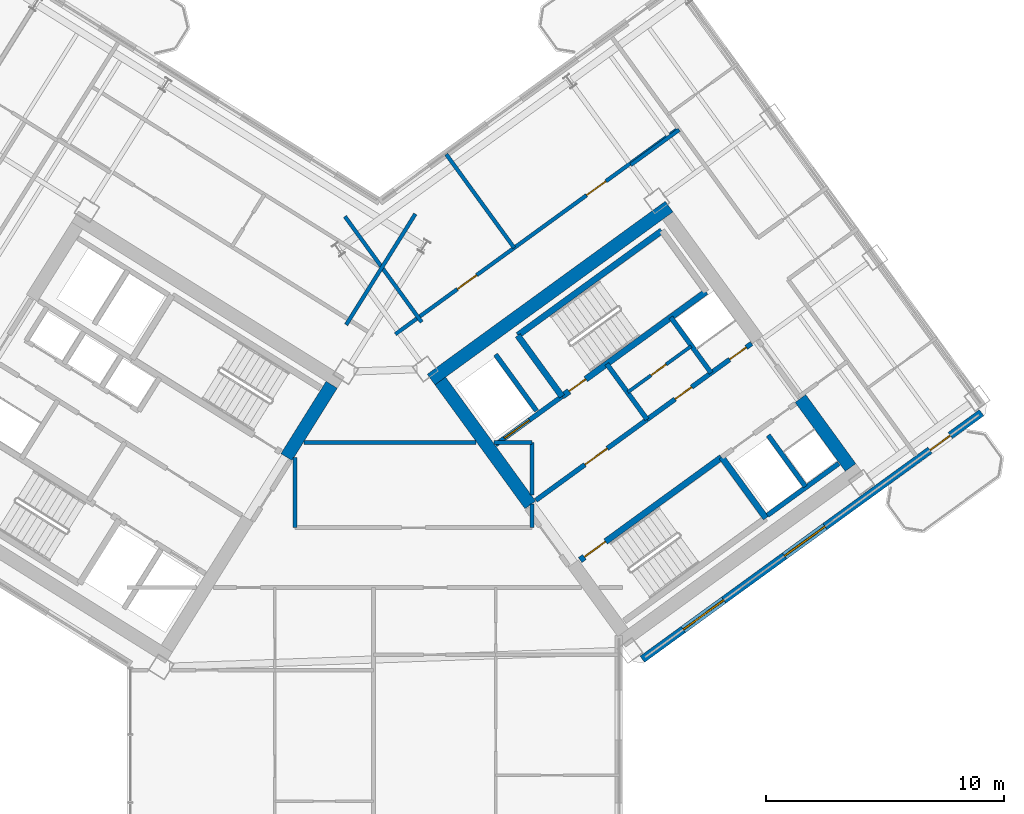
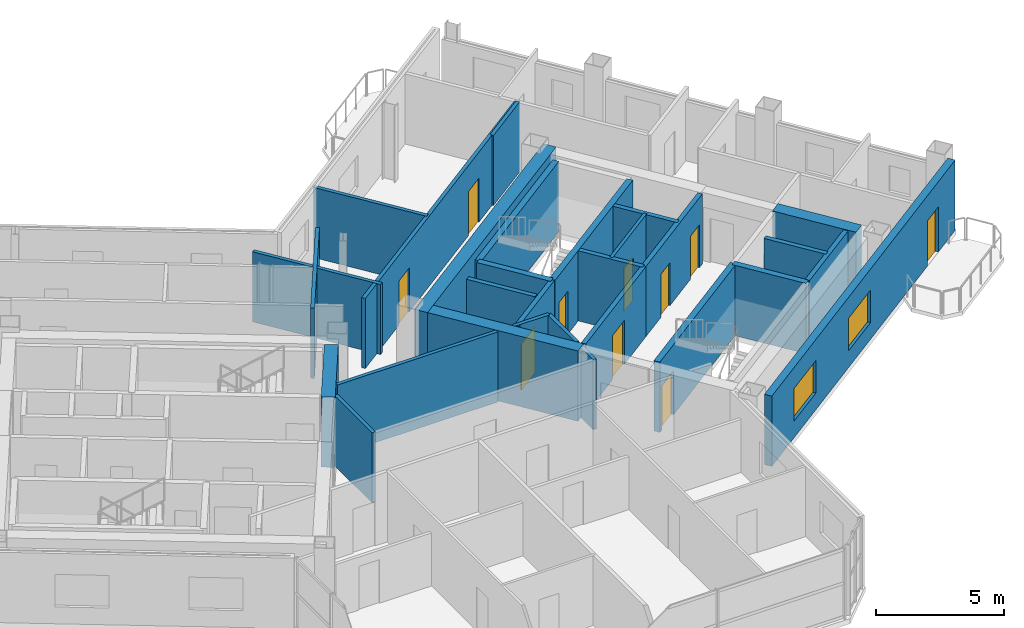
# One storey, part 14 of 21: 29 walls, 10 doors, 2 windows, 12 openings.
"""IFC4 building model written with IfcOpenShell, lengths in metres."""

import ifcopenshell
import ifcopenshell.guid

model = None  # the IFC model being written
_history = None  # IfcOwnerHistory: only IFC2X3 demands one
_inside = {}  # id of a spatial element -> (the spatial element, [elements in it])
_under = {}  # id of a project, library or spatial element -> (it, [spatial elements below it])
_declared = {}  # id of a project -> (the project, [libraries it declares])
_typed = {}  # id of a type object -> (the type object, [elements of that type])
_made_of = {}  # id of a material, layer set ... -> (it, [elements and type objects made of it])


def new_model(schema):
    """Start an empty IFC model of exactly this schema.

    Asked for "IFC4X3", IfcOpenShell would pick the latest addendum, in which some entities
    have other attributes; the version numbers below select the first issue.
    IFC2X3 requires an IfcOwnerHistory on every rooted entity: one is made here for all.
    """
    global model, _history
    if schema == "IFC4X3":
        model = ifcopenshell.file(schema_version=(4, 3, 0, 0))
    else:
        model = ifcopenshell.file(schema=schema)
    _inside.clear()
    _under.clear()
    _declared.clear()
    _typed.clear()
    _made_of.clear()
    _history = None
    if model.schema == "IFC2X3":
        org = make("IfcOrganization", Name="unknown")
        user = make(
            "IfcPersonAndOrganization",
            ThePerson=make("IfcPerson", FamilyName="unknown"),
            TheOrganization=org,
        )
        app = make(
            "IfcApplication",
            ApplicationDeveloper=org,
            Version="unknown",
            ApplicationFullName="unknown",
            ApplicationIdentifier="unknown",
        )
        _history = make(
            "IfcOwnerHistory",
            OwningUser=user,
            OwningApplication=app,
            ChangeAction="ADDED",
            CreationDate=0,
        )
    return model


def make(cls, **values):
    """One entity of the class cls with the attributes given. An attribute that is None is left unset."""
    return model.create_entity(
        cls, **{name: value for name, value in values.items() if value is not None}
    )


def rooted(cls, **values):
    """An entity with a GlobalId (a new one), such as an element, a storey or a relation."""
    return make(cls, GlobalId=ifcopenshell.guid.new(), OwnerHistory=_history, **values)


def si_unit(unit_type, name, prefix=None):
    """IfcSIUnit, for example si_unit("LENGTHUNIT", "METRE", prefix="MILLI")."""
    return make("IfcSIUnit", UnitType=unit_type, Prefix=prefix, Name=name)


def assignment(units):
    """IfcUnitAssignment: the units of a project."""
    return None if units is None else make("IfcUnitAssignment", Units=units)


def point(xyz):
    """IfcCartesianPoint."""
    return None if xyz is None else make("IfcCartesianPoint", Coordinates=xyz)


def direction(xyz):
    """IfcDirection."""
    return None if xyz is None else make("IfcDirection", DirectionRatios=xyz)


def frame(location, z_axis=None, x_axis=None):
    """IfcAxis2Placement3D, a coordinate frame: its origin and axes. An axis left out is left unset."""
    return make(
        "IfcAxis2Placement3D",
        Location=point(location),
        Axis=direction(z_axis),
        RefDirection=direction(x_axis),
    )


def frame_2d(location, x_axis=None):
    """IfcAxis2Placement2D, a coordinate frame in the plane: its origin and x axis."""
    return make(
        "IfcAxis2Placement2D", Location=point(location), RefDirection=direction(x_axis)
    )


def origin():
    """The frame at (0, 0, 0) with its axes left unset."""
    return frame((0.0, 0.0, 0.0))


def place(relative_to, where):
    """IfcLocalPlacement: puts the frame where relative to a parent placement (None: the world)."""
    return make(
        "IfcLocalPlacement", PlacementRelTo=relative_to, RelativePlacement=where
    )


def context(
    kind, dimensions, precision=None, world=None, true_north=None, identifier=None
):
    """IfcGeometricRepresentationContext, for example the 3D "Model" context."""
    return make(
        "IfcGeometricRepresentationContext",
        ContextIdentifier=identifier,
        ContextType=kind,
        CoordinateSpaceDimension=dimensions,
        Precision=precision,
        WorldCoordinateSystem=world,
        TrueNorth=true_north,
    )


def subcontext(parent, identifier, kind, view, scale=None):
    """IfcGeometricRepresentationSubContext, for example "Body" below "Model"."""
    return make(
        "IfcGeometricRepresentationSubContext",
        ContextIdentifier=identifier,
        ContextType=kind,
        ParentContext=parent,
        TargetScale=scale,
        TargetView=view,
    )


def project(units=None, contexts=None):
    """IfcProject with its units and contexts."""
    return rooted(
        "IfcProject",
        Name="project",
        RepresentationContexts=contexts,
        UnitsInContext=assignment(units),
    )


def spatial(cls, under=None, at=None, **own):
    """A site, building, storey or space (cls), placed at a placement, below another one or the project."""
    s = rooted(cls, ObjectPlacement=at, **own)
    if under is not None:
        _under.setdefault(under.id(), (under, []))[1].append(s)
    return s


def profile(cls, at=None, kind="AREA", **sizes):
    """A parametric profile (cls). Its sizes go by their IFC names, for example OverallWidth=200.0."""
    return make(cls, ProfileType=kind, Position=at, **sizes)


def rectangle(**sizes):
    """IfcRectangleProfileDef."""
    return profile("IfcRectangleProfileDef", **sizes)


def extrude(swept, where, along, depth):
    """IfcExtrudedAreaSolid: the profile swept, set in the frame where, extruded along a direction by depth."""
    return make(
        "IfcExtrudedAreaSolid",
        SweptArea=swept,
        Position=where,
        ExtrudedDirection=direction(along),
        Depth=depth,
    )


def shape(context_of_items, identifier, shape_type, items):
    """IfcShapeRepresentation: the items that make up one representation, for example the "Body"."""
    return make(
        "IfcShapeRepresentation",
        ContextOfItems=context_of_items,
        RepresentationIdentifier=identifier,
        RepresentationType=shape_type,
        Items=items,
    )


def source(mapping_origin, context_of_items, identifier, shape_type, items):
    """IfcRepresentationMap: a shape defined once, which mapped items show again and again."""
    return make(
        "IfcRepresentationMap",
        MappingOrigin=mapping_origin,
        MappedRepresentation=shape(context_of_items, identifier, shape_type, items),
    )


def transform(
    local_origin,
    x_axis=None,
    y_axis=None,
    z_axis=None,
    scale=None,
    scale2=None,
    scale3=None,
    uniform=True,
):
    """IfcCartesianTransformationOperator3D, or its non-uniform kind. x_axis, y_axis, z_axis: its Axis1, 2, 3."""
    if uniform:
        return make(
            "IfcCartesianTransformationOperator3D",
            Axis1=direction(x_axis),
            Axis2=direction(y_axis),
            LocalOrigin=point(local_origin),
            Scale=scale,
            Axis3=direction(z_axis),
        )
    return make(
        "IfcCartesianTransformationOperator3DnonUniform",
        Axis1=direction(x_axis),
        Axis2=direction(y_axis),
        LocalOrigin=point(local_origin),
        Scale=scale,
        Axis3=direction(z_axis),
        Scale2=scale2,
        Scale3=scale3,
    )


def mapped(mapping_source, mapping_target):
    """IfcMappedItem: shows the shape of a source again, moved by a transform."""
    return make(
        "IfcMappedItem", MappingSource=mapping_source, MappingTarget=mapping_target
    )


def material(Name=None, Category=None):
    """IfcMaterial."""
    return make("IfcMaterial", Name=Name, Category=Category)


def layer(
    of_material, thickness, ventilated=None, Name=None, Category=None, Priority=None
):
    """IfcMaterialLayer: one layer of a wall or slab, of a material (None: an air gap)."""
    return make(
        "IfcMaterialLayer",
        Material=of_material,
        LayerThickness=thickness,
        IsVentilated=ventilated,
        Name=Name,
        Category=Category,
        Priority=Priority,
    )


def layer_set(layers, Name=None):
    """IfcMaterialLayerSet."""
    return make("IfcMaterialLayerSet", MaterialLayers=layers, LayerSetName=Name)


def made_of(thing, what):
    """Note that an element or type object is made of a material, layer set ...; save() writes the relation."""
    if what is not None:
        _made_of.setdefault(what.id(), (what, []))[1].append(thing)
    return thing


def type_object(cls, material=None, **own):
    """A type object (cls), such as IfcWallType, which elements share."""
    return made_of(rooted(cls, **own), material)


def element(
    cls,
    number,
    at=None,
    inside=None,
    cuts=None,
    type_object=None,
    material=None,
    context=None,
    identifier="Body",
    shape_type=None,
    held_by="IfcProductDefinitionShape",
    body=None,
    shapes=None,
    **own,
):
    """One element of the class cls, such as IfcWall. Its Tag is "e" and its number.

    at: its placement. inside: the storey or other place that contains it. cuts: it is an
    opening in that element (IfcRelVoidsElement). A single representation is given by context,
    identifier, shape_type and body (its items); several are given by shapes. held_by: the class
    of the entity that holds the representations. save() writes the other relations.
    """
    e = rooted(cls, Tag="e%d" % number, ObjectPlacement=at, **own)
    if body is not None:
        shapes = [shape(context, identifier, shape_type, body)]
    if shapes is not None:
        e.Representation = make(held_by, Representations=shapes)
    if inside is not None:
        _inside.setdefault(inside.id(), (inside, []))[1].append(e)
    if cuts is not None:
        rooted(
            "IfcRelVoidsElement", RelatingBuildingElement=cuts, RelatedOpeningElement=e
        )
    if type_object is not None:
        _typed.setdefault(type_object.id(), (type_object, []))[1].append(e)
    return made_of(e, material)


def fill(opening, filler):
    """IfcRelFillsElement: the door or window that sits in an opening."""
    return rooted(
        "IfcRelFillsElement",
        RelatingOpeningElement=opening,
        RelatedBuildingElement=filler,
    )


def aggregate(whole, parts):
    """IfcRelAggregates: a whole, such as a stair, and the parts it consists of."""
    return rooted("IfcRelAggregates", RelatingObject=whole, RelatedObjects=parts)


def save(model, path):
    """Write the relations noted so far, then the file.

    IfcRelAggregates (storeys below a building ...), IfcRelContainedInSpatialStructure (elements
    in a storey), IfcRelDefinesByType, IfcRelAssociatesMaterial and IfcRelDeclares: one each for
    every whole, place, type object, material and project.
    """
    for whole, parts in _under.values():
        aggregate(whole, parts)
    for where, things in _inside.values():
        rooted(
            "IfcRelContainedInSpatialStructure",
            RelatedElements=things,
            RelatingStructure=where,
        )
    for kind, things in _typed.values():
        rooted("IfcRelDefinesByType", RelatedObjects=things, RelatingType=kind)
    for what, things in _made_of.values():
        rooted("IfcRelAssociatesMaterial", RelatedObjects=things, RelatingMaterial=what)
    for by, libraries in _declared.values():
        rooted("IfcRelDeclares", RelatingContext=by, RelatedDefinitions=libraries)
    model.write(path)


model = new_model("IFC4")

# Units and contexts
model_context = context("Model", 3, precision=1e-05, world=origin(), true_north=direction((0.0, 1.0)))
body_context = subcontext(model_context, "Body", "Model", "MODEL_VIEW")
ifc_project = project(units=[si_unit("LENGTHUNIT", "METRE"), si_unit("AREAUNIT", "SQUARE_METRE"), si_unit("VOLUMEUNIT", "CUBIC_METRE"), si_unit("PLANEANGLEUNIT", "RADIAN"), si_unit("MASSUNIT", "GRAM", prefix="KILO")], contexts=[model_context])

# Site, building, storey
site_placement = place(None, origin())
site = spatial("IfcSite", under=ifc_project, at=site_placement, CompositionType="ELEMENT")
building_placement = place(site_placement, origin())
building = spatial("IfcBuilding", under=site, at=building_placement, Name="Tlacorven Tower", CompositionType="ELEMENT")
storey_placement = place(building_placement, frame((0.0, 0.0, 184.199951171875)))
storey = spatial("IfcBuildingStorey", under=building, at=storey_placement, Name="L46", CompositionType="ELEMENT", Elevation=184.199951171875)

# Walls
ifc_material_1 = material(Name="Concrete C60/75", Category="concrete")
ifc_layer_1 = layer(ifc_material_1, 0.550048828125)
ifc_layer_set_1 = layer_set([ifc_layer_1], Name="Concrete C60/75")
wall_type_1 = type_object("IfcWallType", Name="WL-COR-550", PredefinedType="SHEAR", material=ifc_layer_set_1)
wall_1_placement = place(storey_placement, frame((40.194091796875, 23.92236328125, 0.0), z_axis=(0.0, 0.0, 1.0), x_axis=(-0.529888438328, -0.848067357541, 0.0)))
element("IfcWall", 1, at=wall_1_placement, inside=storey, type_object=wall_type_1, Name="L46 W core end wall E1.1", PredefinedType="SHEAR", context=body_context, shape_type="SweptSolid", body=[
    extrude(rectangle(XDim=3.574951171875, YDim=0.550048828125, at=frame_2d((1.78759765625, 0.0))), origin(), (0.0, 0.0, 1.0), 3.35009765625),
])
wall_2_placement = place(storey_placement, frame((44.364990234375, 24.142333984375, 0.0), z_axis=(0.0, 0.0, 1.0), x_axis=(0.809024304885, 0.587775190107, 0.0)))
element("IfcWall", 2, at=wall_2_placement, inside=storey, type_object=wall_type_1, Name="L46 E core shear wall S2", PredefinedType="SHEAR", context=body_context, shape_type="SweptSolid", body=[
    extrude(rectangle(XDim=12.340087890625, YDim=0.550048828125, at=frame_2d((6.169921875, 0.0))), origin(), (0.0, 0.0, 1.0), 3.35009765625),
])
wall_3_placement = place(storey_placement, frame((48.525634765625, 18.883544921875, 0.0), z_axis=(0.0, 0.0, 1.0), x_axis=(-0.587764933797, 0.809031756236, 0.0)))
element("IfcWall", 3, at=wall_3_placement, inside=storey, type_object=wall_type_1, Name="L46 E core end wall E1.2", PredefinedType="SHEAR", context=body_context, shape_type="SweptSolid", body=[
    extrude(rectangle(XDim=6.425048828125, YDim=0.550048828125, at=frame_2d((3.21240234375, 0.0))), origin(), (0.0, 0.0, 1.0), 3.35009765625),
])
wall_4_placement = place(storey_placement, frame((61.9580078125, 20.453857421875, 0.0), z_axis=(0.0, 0.0, 1.0), x_axis=(-0.587802113096, 0.809004744015, 0.0)))
element("IfcWall", 4, at=wall_4_placement, inside=storey, type_object=wall_type_1, Name="L46 E core end wall E2.1", PredefinedType="SHEAR", context=body_context, shape_type="SweptSolid", body=[
    extrude(rectangle(XDim=3.574951171875, YDim=0.550048828125, at=frame_2d((1.78759765625, 0.0))), origin(), (0.0, 0.0, 1.0), 3.35009765625),
])
ifc_material_2 = material(Name="Gypsum plasterboard acoustic partition", Category="gypsum")
ifc_layer_2 = layer(ifc_material_2, 0.159912109375)
ifc_layer_set_2 = layer_set([ifc_layer_2], Name="Gypsum plasterboard acoustic partition")
wall_type_2 = type_object("IfcWallType", Name="WL-DEM-160", PredefinedType="PARTITIONING", material=ifc_layer_set_2)
wall_5_placement = place(storey_placement, frame((43.70361328125, 31.086181640625, 0.0), z_axis=(0.0, 0.0, 1.0), x_axis=(-0.529906828443, -0.848055866774, 0.0)))
element("IfcWall", 5, at=wall_5_placement, inside=storey, type_object=wall_type_2, Name="L46 WC West Throat Wall", PredefinedType="PARTITIONING", context=body_context, shape_type="SweptSolid", body=[
    extrude(rectangle(XDim=5.479736328125, YDim=0.159912109375, at=frame_2d((2.73974609375, 0.0))), origin(), (0.0, 0.0, 1.0), 3.340087890625),
])
wall_6_placement = place(storey_placement, frame((38.64990234375, 17.929931640625, 0.0), z_axis=(0.0, 0.0, 1.0), x_axis=(0.0, 1.0, 0.0)))
element("IfcWall", 6, at=wall_6_placement, inside=storey, type_object=wall_type_2, Name="L46 partition 73", PredefinedType="PARTITIONING", context=body_context, shape_type="SweptSolid", body=[
    extrude(rectangle(XDim=2.951416015625, YDim=0.159912109375, at=frame_2d((1.4755859375, 0.0))), origin(), (0.0, 0.0, 1.0), 3.340087890625),
])
wall_7_placement = place(storey_placement, frame((48.60009765625, 17.929931640625, 0.0), z_axis=(0.0, 0.0, 1.0), x_axis=(0.0, 1.0, 0.0)))
element("IfcWall", 7, at=wall_7_placement, inside=storey, type_object=wall_type_2, Name="L46 partition 74", PredefinedType="PARTITIONING", context=body_context, shape_type="SweptSolid", body=[
    extrude(rectangle(XDim=0.99267578125, YDim=0.159912109375, at=frame_2d((0.496337890625, 0.0))), origin(), (0.0, 0.0, 1.0), 3.340087890625),
])
wall_8_placement = place(storey_placement, frame((48.60009765625, 19.295166015625, 0.0), z_axis=(0.0, 0.0, 1.0), x_axis=(0.0, 1.0, 0.0)))
element("IfcWall", 8, at=wall_8_placement, inside=storey, type_object=wall_type_2, Name="L46 partition 74", PredefinedType="PARTITIONING", context=body_context, shape_type="SweptSolid", body=[
    extrude(rectangle(XDim=2.204833984375, YDim=0.159912109375, at=frame_2d((1.1025390625, 0.0))), origin(), (0.0, 0.0, 1.0), 3.340087890625),
])
wall_9_placement = place(storey_placement, frame((39.03662109375, 21.5, 0.0), z_axis=(0.0, 0.0, 1.0), x_axis=(1.0, 0.0, 0.0)))
element("IfcWall", 9, at=wall_9_placement, inside=storey, type_object=wall_type_2, Name="L46 partition 75", PredefinedType="PARTITIONING", context=body_context, shape_type="SweptSolid", body=[
    extrude(rectangle(XDim=7.21484375, YDim=0.159912109375, at=frame_2d((3.607421875, 0.0))), origin(), (0.0, 0.0, 1.0), 3.340087890625),
])
wall_10_placement = place(storey_placement, frame((46.998046875, 21.5, 0.0), z_axis=(0.0, 0.0, 1.0), x_axis=(1.0, 0.0, 0.0)))
element("IfcWall", 10, at=wall_10_placement, inside=storey, type_object=wall_type_2, Name="L46 partition 75", PredefinedType="PARTITIONING", context=body_context, shape_type="SweptSolid", body=[
    extrude(rectangle(XDim=1.60205078125, YDim=0.159912109375, at=frame_2d((0.801025390625, 0.0))), origin(), (0.0, 0.0, 1.0), 3.340087890625),
])
wall_11_placement = place(storey_placement, frame((52.73876953125, 33.143310546875, 0.0), z_axis=(0.0, 0.0, 1.0), x_axis=(0.809000999347, 0.58780726693, 0.0)))
element("IfcWall", 11, at=wall_11_placement, inside=storey, type_object=wall_type_2, Name="L46 partition 88", PredefinedType="PARTITIONING", context=body_context, shape_type="SweptSolid", body=[
    extrude(rectangle(XDim=2.510009765625, YDim=0.159912109375, at=frame_2d((1.2548828125, 0.0))), origin(), (0.0, 0.0, 1.0), 3.340087890625),
])

# Wall, openings, doors
wall_12_placement = place(storey_placement, frame((42.86572265625, 26.04443359375, 0.0), z_axis=(0.0, 0.0, 1.0), x_axis=(0.809020254154, 0.587780765566, 0.0)))
wall_12 = element("IfcWall", 12, at=wall_12_placement, inside=storey, type_object=wall_type_2, Name="L46 partition 96", PredefinedType="PARTITIONING", context=body_context, shape_type="SweptSolid", body=[
    extrude(rectangle(XDim=14.670166015625, YDim=0.159912109375, at=frame_2d((7.3349609375, 0.0))), origin(), (0.0, 0.0, 1.0), 3.340087890625),
])
opening_1_placement = place(wall_12_placement, frame((3.215087890625, 0.0, 0.0)))
opening_1 = element("IfcOpeningElement", 13, at=opening_1_placement, cuts=wall_12, Name="Opening D11", PredefinedType="OPENING", context=body_context, shape_type="SweptSolid", body=[
    extrude(rectangle(XDim=1.0, YDim=2.10009765625, at=frame_2d((0.5, 1.050048828125))), frame((0.0, 0.08984375, 0.0), z_axis=(0.0, -1.0, 0.0), x_axis=(1.0, 0.0, 0.0)), (0.0, 0.0, 1.0), 0.179931640625),
])
opening_2_placement = place(wall_12_placement, frame((9.9150390625, 0.0, 0.0)))
opening_2 = element("IfcOpeningElement", 14, at=opening_2_placement, cuts=wall_12, Name="Opening D11", PredefinedType="OPENING", context=body_context, shape_type="SweptSolid", body=[
    extrude(rectangle(XDim=1.0, YDim=2.10009765625, at=frame_2d((0.5, 1.050048828125))), frame((0.0, 0.08984375, 0.0), z_axis=(0.0, -1.0, 0.0), x_axis=(1.0, 0.0, 0.0)), (0.0, 0.0, 1.0), 0.179931640625),
])
ifc_material_3 = material(Name="Fire-rated steel door assembly", Category="steel")
door_type_1 = type_object("IfcDoorType", Name="DR-FLT-FD60-1000", OperationType="NOTDEFINED", PredefinedType="DOOR", material=ifc_material_3)
shared_shape_1 = source(origin(), body_context, "Body", "SweptSolid", [
    extrude(rectangle(XDim=1.0, YDim=2.10009765625, at=frame_2d((0.5, 1.050048828125))), frame((0.0, 0.02490234375, 0.0), z_axis=(0.0, -1.0, 0.0), x_axis=(1.0, 0.0, 0.0)), (0.0, 0.0, 1.0), 0.050048828125),
])
door_1_placement = place(opening_1_placement, origin())
door_1 = element("IfcDoor", 15, at=door_1_placement, inside=storey, type_object=door_type_1, Name="L46 door 062", OperationType="SINGLE_SWING_LEFT", OverallHeight=2.10009765625, OverallWidth=1.0, PredefinedType="DOOR", context=body_context, shape_type="MappedRepresentation", body=[
    mapped(shared_shape_1, transform((0.0, 0.0, 0.0), scale=1.0)),
])
fill(opening_1, door_1)
door_2_placement = place(opening_2_placement, origin())
door_2 = element("IfcDoor", 16, at=door_2_placement, inside=storey, type_object=door_type_1, Name="L46 door 063", OperationType="SINGLE_SWING_RIGHT", OverallHeight=2.10009765625, OverallWidth=1.0, PredefinedType="DOOR", context=body_context, shape_type="MappedRepresentation", body=[
    mapped(shared_shape_1, transform((0.0, 0.0, 0.0), scale=1.0)),
])
fill(opening_2, door_2)

# Walls
wall_13_placement = place(storey_placement, frame((43.969482421875, 26.549560546875, 0.0), z_axis=(0.0, 0.0, 1.0), x_axis=(-0.587776919386, 0.80902304852, 0.0)))
element("IfcWall", 17, at=wall_13_placement, inside=storey, type_object=wall_type_2, Name="L46 EC West Throat Wall", PredefinedType="PARTITIONING", context=body_context, shape_type="SweptSolid", body=[
    extrude(rectangle(XDim=5.47998046875, YDim=0.159912109375, at=frame_2d((2.739990234375, 0.0))), origin(), (0.0, 0.0, 1.0), 3.340087890625),
])
wall_14_placement = place(storey_placement, frame((47.849365234375, 29.6650390625, 0.0), z_axis=(0.0, 0.0, 1.0), x_axis=(-0.587785532001, 0.809016791155, 0.0)))
element("IfcWall", 18, at=wall_14_placement, inside=storey, type_object=wall_type_2, Name="L46 EC Demising Wall 1", PredefinedType="PARTITIONING", context=body_context, shape_type="SweptSolid", body=[
    extrude(rectangle(XDim=4.85009765625, YDim=0.159912109375, at=frame_2d((2.425048828125, 0.0))), origin(), (0.0, 0.0, 1.0), 3.340087890625),
])

# Wall, openings, door, windows
ifc_material_4 = material(Name="Precast concrete C45/55", Category="concrete")
ifc_layer_3 = layer(ifc_material_4, 0.320068359375)
ifc_layer_set_3 = layer_set([ifc_layer_3], Name="Precast concrete C45/55")
wall_type_3 = type_object("IfcWallType", Name="WL-EXT-320", PredefinedType="STANDARD", material=ifc_layer_set_3)
wall_15_placement = place(storey_placement, frame((67.45361328125, 22.746826171875, 0.0), z_axis=(0.0, 0.0, 1.0), x_axis=(-0.809021120468, -0.587779573171, 0.0)))
wall_15 = element("IfcWall", 19, at=wall_15_placement, inside=storey, type_object=wall_type_3, Name="L46 Masonry-Frame Recessed Facade Wall 6", PredefinedType="STANDARD", context=body_context, shape_type="SweptSolid", body=[
    extrude(rectangle(XDim=17.587646484375, YDim=0.320068359375, at=frame_2d((8.7939453125, 0.0))), origin(), (0.0, 0.0, 1.0), 3.35009765625),
])
opening_3_placement = place(wall_15_placement, frame((1.623779296875, 0.0, 0.0)))
opening_3 = element("IfcOpeningElement", 20, at=opening_3_placement, cuts=wall_15, Name="Opening D06", PredefinedType="OPENING", context=body_context, shape_type="SweptSolid", body=[
    extrude(rectangle(XDim=1.050048828125, YDim=2.14990234375, at=frame_2d((0.52490234375, 1.074951171875))), frame((0.0, 0.169921875, 0.0), z_axis=(0.0, -1.0, 0.0), x_axis=(1.0, 0.0, 0.0)), (0.0, 0.0, 1.0), 0.340087890625),
])
opening_4_placement = place(wall_15_placement, frame((8.11865234375, 0.0, 0.800048828125)))
opening_4 = element("IfcOpeningElement", 21, at=opening_4_placement, cuts=wall_15, Name="Opening WN04", PredefinedType="OPENING", context=body_context, shape_type="SweptSolid", body=[
    extrude(rectangle(XDim=2.10009765625, YDim=1.550048828125, at=frame_2d((1.050048828125, 0.77490234375))), frame((0.0, 0.169921875, 0.0), z_axis=(0.0, -1.0, 0.0), x_axis=(1.0, 0.0, 0.0)), (0.0, 0.0, 1.0), 0.340087890625),
])
opening_5_placement = place(wall_15_placement, frame((13.36865234375, 0.0, 0.800048828125)))
opening_5 = element("IfcOpeningElement", 22, at=opening_5_placement, cuts=wall_15, Name="Opening WN04", PredefinedType="OPENING", context=body_context, shape_type="SweptSolid", body=[
    extrude(rectangle(XDim=2.10009765625, YDim=1.550048828125, at=frame_2d((1.050048828125, 0.77490234375))), frame((0.0, 0.169921875, 0.0), z_axis=(0.0, -1.0, 0.0), x_axis=(1.0, 0.0, 0.0)), (0.0, 0.0, 1.0), 0.340087890625),
])
ifc_material_5 = material(Name="Powder-coated aluminium and timber door", Category="wood")
door_type_2 = type_object("IfcDoorType", Name="DR-EXT-BALC-1050", OperationType="NOTDEFINED", PredefinedType="DOOR", material=ifc_material_5)
shared_shape_2 = source(origin(), body_context, "Body", "SweptSolid", [
    extrude(rectangle(XDim=1.050048828125, YDim=2.14990234375, at=frame_2d((0.52490234375, 1.074951171875))), frame((0.0, 0.02490234375, 0.0), z_axis=(0.0, -1.0, 0.0), x_axis=(1.0, 0.0, 0.0)), (0.0, 0.0, 1.0), 0.050048828125),
])
door_3_placement = place(opening_3_placement, origin())
door_3 = element("IfcDoor", 23, at=door_3_placement, inside=storey, type_object=door_type_2, Name="L46 Outdoor Access Door BAL-L46-E-OUT", OperationType="SINGLE_SWING_LEFT", OverallHeight=2.14990234375, OverallWidth=1.050048828125, PredefinedType="DOOR", context=body_context, shape_type="MappedRepresentation", body=[
    mapped(shared_shape_2, transform((0.0, 0.0, 0.0), scale=1.0)),
])
fill(opening_3, door_3)
ifc_material_6 = material(Name="Dark solar low-E double glazing in anodised aluminium frame", Category="aluminium")
window_type = type_object("IfcWindowType", Name="WN-APT-2100X1750", PartitioningType="SINGLE_PANEL", PredefinedType="WINDOW", material=ifc_material_6)
shared_shape_3 = source(origin(), body_context, "Body", "SweptSolid", [
    extrude(rectangle(XDim=2.10009765625, YDim=1.550048828125, at=frame_2d((1.050048828125, 0.77490234375))), frame((0.0, 0.030029296875, 0.0), z_axis=(0.0, -1.0, 0.0), x_axis=(1.0, 0.0, 0.0)), (0.0, 0.0, 1.0), 0.06005859375),
])
window_1_placement = place(opening_4_placement, origin())
window_1 = element("IfcWindow", 24, at=window_1_placement, inside=storey, type_object=window_type, Name="L46 Recessed Masonry-Frame Window L46-06.1", OverallHeight=1.550048828125, OverallWidth=2.10009765625, PartitioningType="SINGLE_PANEL", PredefinedType="WINDOW", context=body_context, shape_type="MappedRepresentation", body=[
    mapped(shared_shape_3, transform((0.0, 0.0, 0.0), scale=1.0)),
])
fill(opening_4, window_1)
window_2_placement = place(opening_5_placement, origin())
window_2 = element("IfcWindow", 25, at=window_2_placement, inside=storey, type_object=window_type, Name="L46 Recessed Masonry-Frame Window L46-06.2", OverallHeight=1.550048828125, OverallWidth=2.10009765625, PartitioningType="SINGLE_PANEL", PredefinedType="WINDOW", context=body_context, shape_type="MappedRepresentation", body=[
    mapped(shared_shape_3, transform((0.0, 0.0, 0.0), scale=1.0)),
])
fill(opening_5, window_2)

# Wall, opening, door
ifc_material_7 = material(Name="Moisture-resistant gypsum plumbing wall", Category="gypsum")
ifc_layer_4 = layer(ifc_material_7, 0.139892578125)
ifc_layer_set_4 = layer_set([ifc_layer_4], Name="Moisture-resistant gypsum plumbing wall")
wall_type_4 = type_object("IfcWallType", Name="WL-PLM-140", PredefinedType="PLUMBINGWALL", material=ifc_layer_set_4)
wall_16_placement = place(storey_placement, frame((52.617919921875, 23.612060546875, 0.0), z_axis=(0.0, 0.0, 1.0), x_axis=(0.809009587469, 0.587795446889, 0.0)))
wall_16 = element("IfcWall", 26, at=wall_16_placement, inside=storey, type_object=wall_type_4, Name="L46 partition 41", PredefinedType="PLUMBINGWALL", context=body_context, shape_type="SweptSolid", body=[
    extrude(rectangle(XDim=3.280029296875, YDim=0.139892578125, at=frame_2d((1.64013671875, 0.0))), origin(), (0.0, 0.0, 1.0), 3.340087890625),
])
opening_6_placement = place(wall_16_placement, frame((1.199951171875, 0.0, 0.0)))
opening_6 = element("IfcOpeningElement", 27, at=opening_6_placement, cuts=wall_16, Name="Opening D22", PredefinedType="OPENING", context=body_context, shape_type="SweptSolid", body=[
    extrude(rectangle(XDim=0.780029296875, YDim=2.050048828125, at=frame_2d((0.39013671875, 1.02490234375))), frame((0.0, 0.080078125, 0.0), z_axis=(0.0, -1.0, 0.0), x_axis=(1.0, 0.0, 0.0)), (0.0, 0.0, 1.0), 0.159912109375),
])
door_type_3 = type_object("IfcDoorType", Name="DR-INT-WET-0780", OperationType="NOTDEFINED", PredefinedType="DOOR", material=ifc_material_5)
shared_shape_4 = source(origin(), body_context, "Body", "SweptSolid", [
    extrude(rectangle(XDim=0.780029296875, YDim=2.050048828125, at=frame_2d((0.39013671875, 1.02490234375))), frame((0.0, 0.02490234375, 0.0), z_axis=(0.0, -1.0, 0.0), x_axis=(1.0, 0.0, 0.0)), (0.0, 0.0, 1.0), 0.050048828125),
])
door_4_placement = place(opening_6_placement, origin())
door_4 = element("IfcDoor", 28, at=door_4_placement, inside=storey, type_object=door_type_3, Name="L46 door 019", OperationType="SINGLE_SWING_LEFT", OverallHeight=2.050048828125, OverallWidth=0.780029296875, PredefinedType="DOOR", context=body_context, shape_type="MappedRepresentation", body=[
    mapped(shared_shape_4, transform((0.0, 0.0, 0.0), scale=1.0)),
])
fill(opening_6, door_4)

ifc_material_8 = material(Name="Concrete C40/50", Category="concrete")
ifc_layer_5 = layer(ifc_material_8, 0.199951171875)
ifc_layer_set_5 = layer_set([ifc_layer_5], Name="Concrete C40/50")
wall_type_5 = type_object("IfcWallType", Name="WL-SHF-200", PredefinedType="STANDARD", material=ifc_layer_set_5)
wall_17_placement = place(storey_placement, frame((47.0654296875, 21.4072265625, 0.0), z_axis=(0.0, 0.0, 1.0), x_axis=(0.809032984992, 0.587763242466, 0.0)))
wall_17 = element("IfcWall", 29, at=wall_17_placement, inside=storey, type_object=wall_type_5, Name="L46 Core E Firefighting Lift Shaft Front Wall", PredefinedType="STANDARD", context=body_context, shape_type="SweptSolid", body=[
    extrude(rectangle(XDim=3.447998046875, YDim=0.199951171875, at=frame_2d((1.72412109375, 0.0))), origin(), (0.0, 0.0, 1.0), 3.340087890625),
])
opening_7_placement = place(wall_17_placement, frame((0.4580078125, 0.0, 0.0)))
opening_7 = element("IfcOpeningElement", 30, at=opening_7_placement, cuts=wall_17, Name="Opening LD03", PredefinedType="OPENING", context=body_context, shape_type="SweptSolid", body=[
    extrude(rectangle(XDim=1.300048828125, YDim=2.199951171875, at=frame_2d((0.64990234375, 1.10009765625))), frame((0.0, 0.10986328125, 0.0), z_axis=(0.0, -1.0, 0.0), x_axis=(1.0, 0.0, 0.0)), (0.0, 0.0, 1.0), 0.219970703125),
])
door_type_4 = type_object("IfcDoorType", Name="DR-LFT-SLID-1300", OperationType="DOUBLE_DOOR_SLIDING", PredefinedType="DOOR", material=ifc_material_3)
shared_shape_5 = source(origin(), body_context, "Body", "SweptSolid", [
    extrude(rectangle(XDim=1.300048828125, YDim=2.199951171875, at=frame_2d((0.64990234375, 1.10009765625))), frame((0.0, 0.02490234375, 0.0), z_axis=(0.0, -1.0, 0.0), x_axis=(1.0, 0.0, 0.0)), (0.0, 0.0, 1.0), 0.050048828125),
])
door_5_placement = place(opening_7_placement, origin())
door_5 = element("IfcDoor", 31, at=door_5_placement, inside=storey, type_object=door_type_4, Name="L46 Lift FFL-E1 Sliding Landing Door", OperationType="DOUBLE_DOOR_SLIDING", OverallHeight=2.199951171875, OverallWidth=1.300048828125, PredefinedType="DOOR", context=body_context, shape_type="MappedRepresentation", body=[
    mapped(shared_shape_5, transform((0.0, 0.0, 0.0), scale=1.0)),
])
fill(opening_7, door_5)

wall_18_placement = place(storey_placement, frame((48.75830078125, 19.0771484375, 0.0), z_axis=(0.0, 0.0, 1.0), x_axis=(0.809005065155, 0.587801671104, 0.0)))
wall_18 = element("IfcWall", 32, at=wall_18_placement, inside=storey, type_object=wall_type_5, Name="L46 Core E Smoke Lobby Wall", PredefinedType="STANDARD", context=body_context, shape_type="SweptSolid", body=[
    extrude(rectangle(XDim=5.767822265625, YDim=0.199951171875, at=frame_2d((2.8837890625, 0.0))), origin(), (0.0, 0.0, 1.0), 3.340087890625),
])
opening_8_placement = place(wall_18_placement, frame((2.548095703125, 0.0, 0.0)))
opening_8 = element("IfcOpeningElement", 33, at=opening_8_placement, cuts=wall_18, Name="Opening D09", PredefinedType="OPENING", context=body_context, shape_type="SweptSolid", body=[
    extrude(rectangle(XDim=1.14990234375, YDim=2.10009765625, at=frame_2d((0.574951171875, 1.050048828125))), frame((0.0, 0.10986328125, 0.0), z_axis=(0.0, -1.0, 0.0), x_axis=(1.0, 0.0, 0.0)), (0.0, 0.0, 1.0), 0.219970703125),
])
door_type_5 = type_object("IfcDoorType", Name="DR-FFL-FD60-1150", OperationType="NOTDEFINED", PredefinedType="DOOR", material=ifc_material_3)
shared_shape_6 = source(origin(), body_context, "Body", "SweptSolid", [
    extrude(rectangle(XDim=1.14990234375, YDim=2.10009765625, at=frame_2d((0.574951171875, 1.050048828125))), frame((0.0, 0.02490234375, 0.0), z_axis=(0.0, -1.0, 0.0), x_axis=(1.0, 0.0, 0.0)), (0.0, 0.0, 1.0), 0.050048828125),
])
door_6_placement = place(opening_8_placement, origin())
door_6 = element("IfcDoor", 34, at=door_6_placement, inside=storey, type_object=door_type_5, Name="L46 Firefighting Lobby E Fire Door", OperationType="SINGLE_SWING_LEFT", OverallHeight=2.10009765625, OverallWidth=1.14990234375, PredefinedType="DOOR", context=body_context, shape_type="MappedRepresentation", body=[
    mapped(shared_shape_6, transform((0.0, 0.0, 0.0), scale=1.0)),
])
fill(opening_8, door_6)

# Walls
wall_19_placement = place(storey_placement, frame((48.78564453125, 22.830078125, 0.0), z_axis=(0.0, 0.0, 1.0), x_axis=(-0.587783856777, 0.809018008275, 0.0)))
element("IfcWall", 35, at=wall_19_placement, inside=storey, type_object=wall_type_5, Name="L46 partition 33", PredefinedType="STANDARD", context=body_context, shape_type="SweptSolid", body=[
    extrude(rectangle(XDim=2.919921875, YDim=0.199951171875, at=frame_2d((1.4599609375, 0.0))), origin(), (0.0, 0.0, 1.0), 3.340087890625),
])
wall_20_placement = place(storey_placement, frame((60.066650390625, 19.654541015625, 0.0), z_axis=(0.0, 0.0, 1.0), x_axis=(-0.587800520745, 0.809005900975, 0.0)))
element("IfcWall", 36, at=wall_20_placement, inside=storey, type_object=wall_type_5, Name="L46 partition 34", PredefinedType="STANDARD", context=body_context, shape_type="SweptSolid", body=[
    extrude(rectangle(XDim=2.659912109375, YDim=0.199951171875, at=frame_2d((1.330078125, 0.0))), origin(), (0.0, 0.0, 1.0), 3.340087890625),
])
wall_21_placement = place(storey_placement, frame((58.47216796875, 18.446533203125, 0.0), z_axis=(0.0, 0.0, 1.0), x_axis=(0.809018631237, 0.587782999339, 0.0)))
element("IfcWall", 37, at=wall_21_placement, inside=storey, type_object=wall_type_5, Name="L46 partition 36", PredefinedType="STANDARD", context=body_context, shape_type="SweptSolid", body=[
    extrude(rectangle(XDim=3.697998046875, YDim=0.199951171875, at=frame_2d((1.84912109375, 0.0))), origin(), (0.0, 0.0, 1.0), 3.340087890625),
])
wall_22_placement = place(storey_placement, frame((53.424560546875, 22.467529296875, 0.0), z_axis=(0.0, 0.0, 1.0), x_axis=(-0.5877230039, 0.809062216821, 0.0)))
element("IfcWall", 38, at=wall_22_placement, inside=storey, type_object=wall_type_5, Name="L46 partition 38", PredefinedType="STANDARD", context=body_context, shape_type="SweptSolid", body=[
    extrude(rectangle(XDim=2.8798828125, YDim=0.199951171875, at=frame_2d((1.43994140625, 0.0))), origin(), (0.0, 0.0, 1.0), 3.340087890625),
])
wall_23_placement = place(storey_placement, frame((56.110595703125, 24.4189453125, 0.0), z_axis=(0.0, 0.0, 1.0), x_axis=(-0.58777848983, 0.809021907548, 0.0)))
element("IfcWall", 39, at=wall_23_placement, inside=storey, type_object=wall_type_5, Name="L46 partition 39", PredefinedType="STANDARD", context=body_context, shape_type="SweptSolid", body=[
    extrude(rectangle(XDim=2.880126953125, YDim=0.199951171875, at=frame_2d((1.43994140625, 0.0))), origin(), (0.0, 0.0, 1.0), 3.340087890625),
])

# Wall, openings, doors
wall_24_placement = place(storey_placement, frame((53.424560546875, 22.467529296875, 0.0), z_axis=(0.0, 0.0, 1.0), x_axis=(0.809024377198, 0.587775090574, 0.0)))
wall_24 = element("IfcWall", 40, at=wall_24_placement, inside=storey, type_object=wall_type_5, Name="L46 Core E North Service Wall", PredefinedType="STANDARD", context=body_context, shape_type="SweptSolid", body=[
    extrude(rectangle(XDim=5.41796875, YDim=0.199951171875, at=frame_2d((2.708984375, 0.0))), origin(), (0.0, 0.0, 1.0), 3.340087890625),
])
opening_9_placement = place(wall_24_placement, frame((4.280029296875, 0.0, 0.0)))
opening_9 = element("IfcOpeningElement", 41, at=opening_9_placement, cuts=wall_24, Name="Opening D19", PredefinedType="OPENING", context=body_context, shape_type="SweptSolid", body=[
    extrude(rectangle(XDim=0.860107421875, YDim=2.050048828125, at=frame_2d((0.43017578125, 1.02490234375))), frame((0.0, 0.10986328125, 0.0), z_axis=(0.0, -1.0, 0.0), x_axis=(1.0, 0.0, 0.0)), (0.0, 0.0, 1.0), 0.219970703125),
])
opening_10_placement = place(wall_24_placement, frame((1.449951171875, 0.0, 0.0)))
opening_10 = element("IfcOpeningElement", 42, at=opening_10_placement, cuts=wall_24, Name="Opening D19", PredefinedType="OPENING", context=body_context, shape_type="SweptSolid", body=[
    extrude(rectangle(XDim=0.860107421875, YDim=2.050048828125, at=frame_2d((0.43017578125, 1.02490234375))), frame((0.0, 0.10986328125, 0.0), z_axis=(0.0, -1.0, 0.0), x_axis=(1.0, 0.0, 0.0)), (0.0, 0.0, 1.0), 0.219970703125),
])
door_type_6 = type_object("IfcDoorType", Name="DR-RSR-FD60-0860", OperationType="NOTDEFINED", PredefinedType="DOOR", material=ifc_material_3)
shared_shape_7 = source(origin(), body_context, "Body", "SweptSolid", [
    extrude(rectangle(XDim=0.860107421875, YDim=2.050048828125, at=frame_2d((0.43017578125, 1.02490234375))), frame((0.0, 0.02490234375, 0.0), z_axis=(0.0, -1.0, 0.0), x_axis=(1.0, 0.0, 0.0)), (0.0, 0.0, 1.0), 0.050048828125),
])
door_7_placement = place(opening_9_placement, frame((0.860107421875, 0.0, 0.0), z_axis=(0.0, 0.0, 1.0), x_axis=(-1.0, 0.0, 0.0)))
door_7 = element("IfcDoor", 43, at=door_7_placement, inside=storey, type_object=door_type_6, Name="L46 Electrical Riser Access Door E", OperationType="SINGLE_SWING_LEFT", OverallHeight=2.050048828125, OverallWidth=0.860107421875, PredefinedType="DOOR", context=body_context, shape_type="MappedRepresentation", body=[
    mapped(shared_shape_7, transform((0.0, 0.0, 0.0), scale=1.0)),
])
fill(opening_9, door_7)
door_8_placement = place(opening_10_placement, frame((0.860107421875, 0.0, 0.0), z_axis=(0.0, 0.0, 1.0), x_axis=(-1.0, 0.0, 0.0)))
door_8 = element("IfcDoor", 44, at=door_8_placement, inside=storey, type_object=door_type_6, Name="L46 Cleaner Store Access Door E", OperationType="SINGLE_SWING_RIGHT", OverallHeight=2.050048828125, OverallWidth=0.860107421875, PredefinedType="DOOR", context=body_context, shape_type="MappedRepresentation", body=[
    mapped(shared_shape_7, transform((0.0, 0.0, 0.0), scale=1.0)),
])
fill(opening_10, door_8)

# Wall
ifc_material_9 = material(Name="Concrete C50/60", Category="concrete")
ifc_layer_6 = layer(ifc_material_9, 0.260009765625)
ifc_layer_set_6 = layer_set([ifc_layer_6], Name="Concrete C50/60")
wall_type_6 = type_object("IfcWallType", Name="WL-STW-260", PredefinedType="SHEAR", material=ifc_layer_set_6)
wall_25_placement = place(storey_placement, frame((48.005615234375, 25.996337890625, 0.0), z_axis=(0.0, 0.0, 1.0), x_axis=(0.80901903764, 0.587782439969, 0.0)))
element("IfcWall", 45, at=wall_25_placement, inside=storey, type_object=wall_type_6, Name="L46 Stair E1 Far Shear Wall", PredefinedType="SHEAR", context=body_context, shape_type="SweptSolid", body=[
    extrude(rectangle(XDim=7.4599609375, YDim=0.260009765625, at=frame_2d((3.72998046875, 0.0))), origin(), (0.0, 0.0, 1.0), 3.35009765625),
])

# Wall, opening, door
wall_26_placement = place(storey_placement, frame((49.863037109375, 23.439697265625, 0.0), z_axis=(0.0, 0.0, 1.0), x_axis=(0.809003474932, 0.587803859759, 0.0)))
wall_26 = element("IfcWall", 46, at=wall_26_placement, inside=storey, type_object=wall_type_6, Name="L46 Stair E1 Lobby Shear Wall", PredefinedType="SHEAR", context=body_context, shape_type="SweptSolid", body=[
    extrude(rectangle(XDim=7.4599609375, YDim=0.260009765625, at=frame_2d((3.72998046875, 0.0))), origin(), (0.0, 0.0, 1.0), 3.35009765625),
])
opening_11_placement = place(wall_26_placement, frame((0.360107421875, 0.0, 0.0)))
opening_11 = element("IfcOpeningElement", 47, at=opening_11_placement, cuts=wall_26, Name="Opening D19", PredefinedType="OPENING", context=body_context, shape_type="SweptSolid", body=[
    extrude(rectangle(XDim=0.860107421875, YDim=2.050048828125, at=frame_2d((0.43017578125, 1.02490234375))), frame((0.0, 0.14013671875, 0.0), z_axis=(0.0, -1.0, 0.0), x_axis=(1.0, 0.0, 0.0)), (0.0, 0.0, 1.0), 0.280029296875),
])
door_9_placement = place(opening_11_placement, frame((0.860107421875, 0.0, 0.0), z_axis=(0.0, 0.0, 1.0), x_axis=(-1.0, 0.0, 0.0)))
door_9 = element("IfcDoor", 48, at=door_9_placement, inside=storey, type_object=door_type_6, Name="L46 Exit Stair E1 Fire Door", OperationType="SINGLE_SWING_LEFT", OverallHeight=2.050048828125, OverallWidth=0.860107421875, PredefinedType="DOOR", context=body_context, shape_type="MappedRepresentation", body=[
    mapped(shared_shape_7, transform((0.0, 0.0, 0.0), scale=1.0)),
])
fill(opening_11, door_9)

# Wall
wall_27_placement = place(storey_placement, frame((49.85498046875, 23.433837890625, 0.0), z_axis=(0.0, 0.0, 1.0), x_axis=(-0.58776738483, 0.809029975545, 0.0)))
element("IfcWall", 49, at=wall_27_placement, inside=storey, type_object=wall_type_6, Name="L46 Stair E1 West Shear Wall", PredefinedType="SHEAR", context=body_context, shape_type="SweptSolid", body=[
    extrude(rectangle(XDim=3.16015625, YDim=0.260009765625, at=frame_2d((1.580078125, 0.0))), origin(), (0.0, 0.0, 1.0), 3.35009765625),
])

# Wall, opening, door
wall_28_placement = place(storey_placement, frame((50.61474609375, 16.569580078125, 0.0), z_axis=(0.0, 0.0, 1.0), x_axis=(0.809028366311, 0.587769599847, 0.0)))
wall_28 = element("IfcWall", 50, at=wall_28_placement, inside=storey, type_object=wall_type_6, Name="L46 Stair E2 Lobby Shear Wall", PredefinedType="SHEAR", context=body_context, shape_type="SweptSolid", body=[
    extrude(rectangle(XDim=7.330078125, YDim=0.260009765625, at=frame_2d((3.6650390625, 0.0))), origin(), (0.0, 0.0, 1.0), 3.35009765625),
])
opening_12_placement = place(wall_28_placement, frame((0.219970703125, 0.0, 0.0)))
opening_12 = element("IfcOpeningElement", 51, at=opening_12_placement, cuts=wall_28, Name="Opening D07", PredefinedType="OPENING", context=body_context, shape_type="SweptSolid", body=[
    extrude(rectangle(XDim=1.10009765625, YDim=2.10009765625, at=frame_2d((0.550048828125, 1.050048828125))), frame((0.0, 0.14013671875, 0.0), z_axis=(0.0, -1.0, 0.0), x_axis=(1.0, 0.0, 0.0)), (0.0, 0.0, 1.0), 0.280029296875),
])
door_type_7 = type_object("IfcDoorType", Name="DR-STR-FD90-1100", OperationType="NOTDEFINED", PredefinedType="DOOR", material=ifc_material_3)
shared_shape_8 = source(origin(), body_context, "Body", "SweptSolid", [
    extrude(rectangle(XDim=1.10009765625, YDim=2.10009765625, at=frame_2d((0.550048828125, 1.050048828125))), frame((0.0, 0.02490234375, 0.0), z_axis=(0.0, -1.0, 0.0), x_axis=(1.0, 0.0, 0.0)), (0.0, 0.0, 1.0), 0.050048828125),
])
door_10_placement = place(opening_12_placement, origin())
door_10 = element("IfcDoor", 52, at=door_10_placement, inside=storey, type_object=door_type_7, Name="L46 Exit Stair E2 Fire Door", OperationType="SINGLE_SWING_RIGHT", OverallHeight=2.10009765625, OverallWidth=1.10009765625, PredefinedType="DOOR", context=body_context, shape_type="MappedRepresentation", body=[
    mapped(shared_shape_8, transform((0.0, 0.0, 0.0), scale=1.0)),
])
fill(opening_12, door_10)

# Wall
wall_29_placement = place(storey_placement, frame((58.410400390625, 18.327392578125, 0.0), z_axis=(0.0, 0.0, 1.0), x_axis=(-0.58776738483, 0.809029975545, 0.0)))
element("IfcWall", 53, at=wall_29_placement, inside=storey, type_object=wall_type_6, Name="L46 Stair E2 East Shear Wall", PredefinedType="SHEAR", context=body_context, shape_type="SweptSolid", body=[
    extrude(rectangle(XDim=3.16015625, YDim=0.260009765625, at=frame_2d((1.580078125, 0.0))), origin(), (0.0, 0.0, 1.0), 3.35009765625),
])

save(model, "model.ifc")
